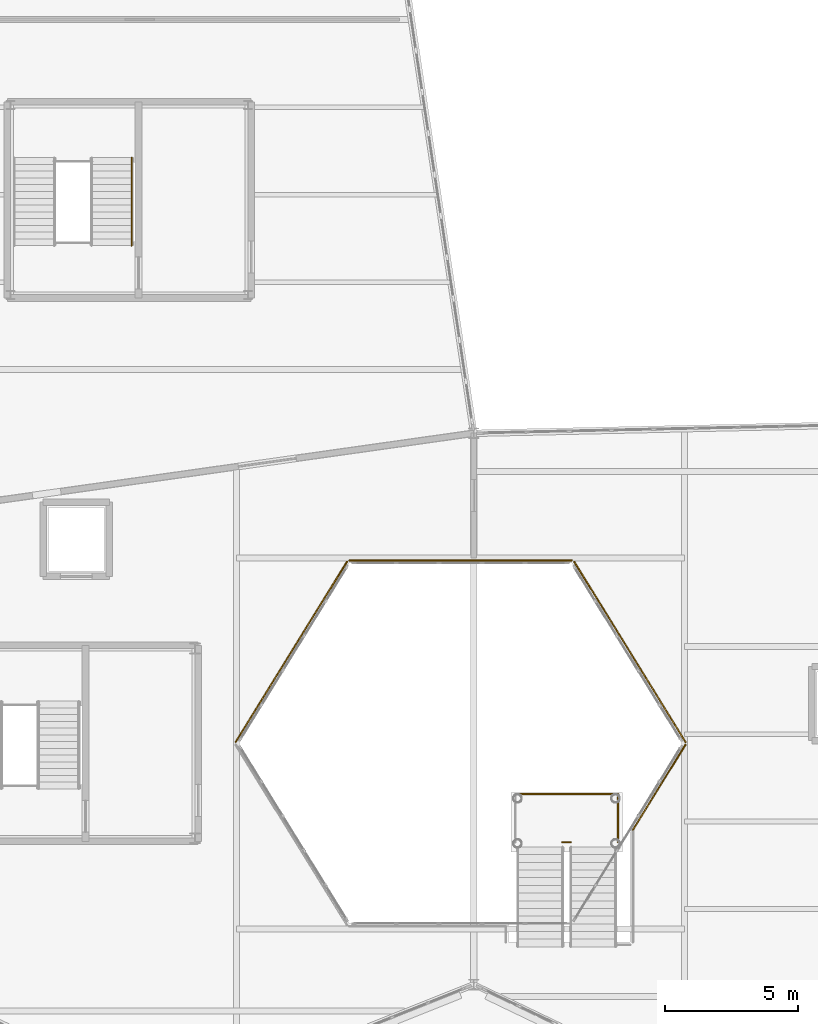
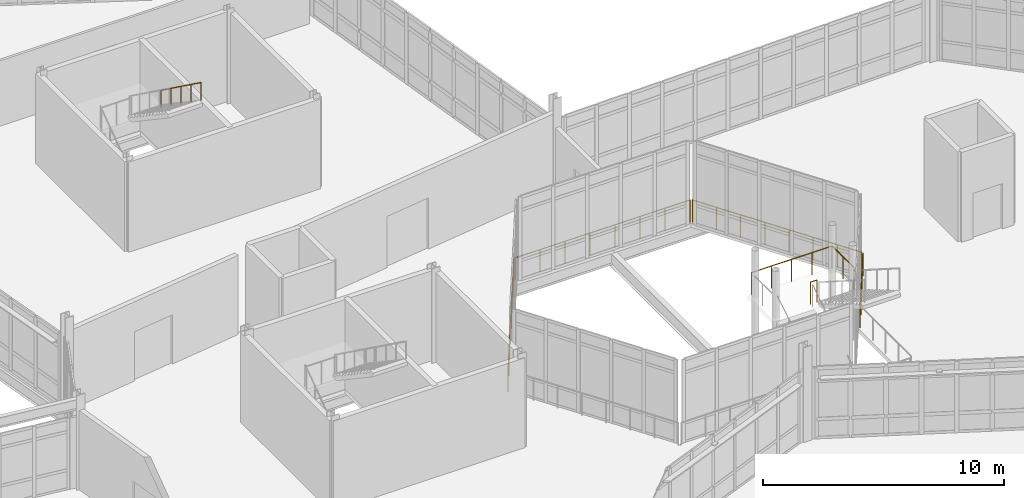
# One storey, part 130 of 134: 8 railings.
"""IFC4 building model written with IfcOpenShell, lengths in metres."""

from ifc_helpers import new_model, si_unit, direction, frame, origin, origin_2d, place, context, subcontext, project, spatial, circle, extrude, material, layer, layer_set, type_object, element, save


model = new_model("IFC4")

# Units and contexts
model_context = context("Model", 3, precision=1e-05, world=origin(), true_north=direction((0.0, 1.0)))
body_context = subcontext(model_context, "Body", "Model", "MODEL_VIEW")
ifc_project = project(units=[si_unit("LENGTHUNIT", "METRE"), si_unit("AREAUNIT", "SQUARE_METRE"), si_unit("VOLUMEUNIT", "CUBIC_METRE"), si_unit("PLANEANGLEUNIT", "RADIAN"), si_unit("MASSUNIT", "GRAM", prefix="KILO")], contexts=[model_context])

# Site, building, storey
site_placement = place(None, origin())
site = spatial("IfcSite", under=ifc_project, at=site_placement, CompositionType="ELEMENT")
building_placement = place(site_placement, origin())
building = spatial("IfcBuilding", under=site, at=building_placement, Name="Tameran Prism Museum", CompositionType="ELEMENT")
storey_placement = place(building_placement, frame((0.0, 0.0, 5.39990234375)))
storey = spatial("IfcBuildingStorey", under=building, at=storey_placement, Name="L01", CompositionType="ELEMENT", Elevation=5.39990234375)

# Railings
ifc_material_1 = material(Name="Laminated Glass and Stainless Steel 316", Category="steel")
ifc_layer_1 = layer(ifc_material_1, 0.06494140625)
ifc_layer_set_1 = layer_set([ifc_layer_1])
railing_type_1 = type_object("IfcRailingType", Name="RL-BAL-1150", PredefinedType="BALUSTRADE", material=ifc_layer_set_1)
railing_1_placement = place(storey_placement, frame((80.840087890625, 32.77001953125, 2.400146484375)))
element("IfcRailing", 1, at=railing_1_placement, inside=storey, type_object=railing_type_1, Name="Atrium Landing Slot Guard BL-119", PredefinedType="BALUSTRADE", context=body_context, shape_type="SweptSolid", body=[
    extrude(circle(Radius=0.02392578125, at=origin_2d()), frame((0.0, 0.0, 1.1259765625), z_axis=(1.0, 0.0, 0.0), x_axis=(0.0, 1.0, 0.0)), (0.0, 0.0, 1.0), 0.31982421875),
    extrude(circle(Radius=0.02099609375, at=origin_2d()), origin(), (0.0, 0.0, 1.0), 1.101806640625),
    extrude(circle(Radius=0.02099609375, at=origin_2d()), frame((0.31982421875, 0.0, 0.0)), (0.0, 0.0, 1.0), 1.101806640625),
])
railing_2_placement = place(storey_placement, frame((79.06005859375, 34.590087890625, 2.400146484375)))
element("IfcRailing", 2, at=railing_2_placement, inside=storey, type_object=railing_type_1, Name="Atrium Landing Perimeter Guard BL-121", PredefinedType="BALUSTRADE", context=body_context, shape_type="SweptSolid", body=[
    extrude(circle(Radius=0.02392578125, at=origin_2d()), frame((0.0, 0.0, 1.1259765625), z_axis=(1.0, 0.0, 0.0), x_axis=(0.0, 1.0, 0.0)), (0.0, 0.0, 1.0), 3.8798828125),
    extrude(circle(Radius=0.02099609375, at=origin_2d()), origin(), (0.0, 0.0, 1.0), 1.101806640625),
    extrude(circle(Radius=0.02099609375, at=origin_2d()), frame((0.969970703125, 0.0, 0.0)), (0.0, 0.0, 1.0), 1.101806640625),
    extrude(circle(Radius=0.02099609375, at=origin_2d()), frame((1.93994140625, 0.0, 0.0)), (0.0, 0.0, 1.0), 1.101806640625),
    extrude(circle(Radius=0.02099609375, at=origin_2d()), frame((2.909912109375, 0.0, 0.0)), (0.0, 0.0, 1.0), 1.101806640625),
    extrude(circle(Radius=0.02099609375, at=origin_2d()), frame((3.8798828125, 0.0, 0.0)), (0.0, 0.0, 1.0), 1.101806640625),
])
railing_3_placement = place(storey_placement, frame((82.93994140625, 34.590087890625, 2.400146484375)))
element("IfcRailing", 3, at=railing_3_placement, inside=storey, type_object=railing_type_1, Name="Atrium Landing Perimeter Guard BL-122", PredefinedType="BALUSTRADE", context=body_context, shape_type="SweptSolid", body=[
    extrude(circle(Radius=0.02392578125, at=origin_2d()), frame((0.0, 0.0, 1.1259765625), z_axis=(0.0, -1.0, 0.0), x_axis=(1.0, 0.0, 0.0)), (0.0, 0.0, 1.0), 1.820068359375),
    extrude(circle(Radius=0.02099609375, at=origin_2d()), origin(), (0.0, 0.0, 1.0), 1.101806640625),
    extrude(circle(Radius=0.02099609375, at=origin_2d()), frame((0.0, -0.91015625, 0.0)), (0.0, 0.0, 1.0), 1.101806640625),
    extrude(circle(Radius=0.02099609375, at=origin_2d()), frame((0.0, -1.820068359375, 0.0)), (0.0, 0.0, 1.0), 1.101806640625),
])
railing_4_placement = place(storey_placement, frame((68.514892578125, 36.552978515625, 0.0)))
element("IfcRailing", 4, at=railing_4_placement, inside=storey, type_object=railing_type_1, Name="Atrium Void Balustrade BL-A002", PredefinedType="BALUSTRADE", context=body_context, shape_type="SweptSolid", body=[
    extrude(circle(Radius=0.02392578125, at=origin_2d()), frame((0.0, 0.0, 1.1259765625), z_axis=(0.525507837885, 0.85078875893, 0.0), x_axis=(-0.85078875893, 0.525507837885, 0.0)), (0.0, 0.0, 1.0), 7.99267578125),
    extrude(circle(Radius=0.02099609375, at=origin_2d()), origin(), (0.0, 0.0, 1.0), 1.101806640625),
    extrude(circle(Radius=0.02099609375, at=origin_2d()), frame((0.60009765625, 0.971435546875, 0.0)), (0.0, 0.0, 1.0), 1.101806640625),
    extrude(circle(Radius=0.02099609375, at=origin_2d()), frame((1.199951171875, 1.94287109375, 0.0)), (0.0, 0.0, 1.0), 1.101806640625),
    extrude(circle(Radius=0.02099609375, at=origin_2d()), frame((1.800048828125, 2.914306640625, 0.0)), (0.0, 0.0, 1.0), 1.101806640625),
    extrude(circle(Radius=0.02099609375, at=origin_2d()), frame((2.400146484375, 3.8857421875, 0.0)), (0.0, 0.0, 1.0), 1.101806640625),
    extrude(circle(Radius=0.02099609375, at=origin_2d()), frame((3.000244140625, 4.857177734375, 0.0)), (0.0, 0.0, 1.0), 1.101806640625),
    extrude(circle(Radius=0.02099609375, at=origin_2d()), frame((3.60009765625, 5.82861328125, 0.0)), (0.0, 0.0, 1.0), 1.101806640625),
    extrude(circle(Radius=0.02099609375, at=origin_2d()), frame((4.2001953125, 6.800048828125, 0.0)), (0.0, 0.0, 1.0), 1.101806640625),
])
railing_5_placement = place(storey_placement, frame((72.800048828125, 43.39990234375, 0.0)))
element("IfcRailing", 5, at=railing_5_placement, inside=storey, type_object=railing_type_1, Name="Atrium Void Balustrade BL-A003", PredefinedType="BALUSTRADE", context=body_context, shape_type="SweptSolid", body=[
    extrude(circle(Radius=0.02392578125, at=origin_2d()), frame((0.0, 0.0, 1.1259765625), z_axis=(1.0, 0.0, 0.0), x_axis=(0.0, 1.0, 0.0)), (0.0, 0.0, 1.0), 8.39990234375),
    extrude(circle(Radius=0.02099609375, at=origin_2d()), origin(), (0.0, 0.0, 1.0), 1.101806640625),
    extrude(circle(Radius=0.02099609375, at=origin_2d()), frame((1.199951171875, 0.0, 0.0)), (0.0, 0.0, 1.0), 1.101806640625),
    extrude(circle(Radius=0.02099609375, at=origin_2d()), frame((2.39990234375, 0.0, 0.0)), (0.0, 0.0, 1.0), 1.101806640625),
    extrude(circle(Radius=0.02099609375, at=origin_2d()), frame((3.599853515625, 0.0, 0.0)), (0.0, 0.0, 1.0), 1.101806640625),
    extrude(circle(Radius=0.02099609375, at=origin_2d()), frame((4.800048828125, 0.0, 0.0)), (0.0, 0.0, 1.0), 1.101806640625),
    extrude(circle(Radius=0.02099609375, at=origin_2d()), frame((6.0, 0.0, 0.0)), (0.0, 0.0, 1.0), 1.101806640625),
    extrude(circle(Radius=0.02099609375, at=origin_2d()), frame((7.199951171875, 0.0, 0.0)), (0.0, 0.0, 1.0), 1.101806640625),
    extrude(circle(Radius=0.02099609375, at=origin_2d()), frame((8.39990234375, 0.0, 0.0)), (0.0, 0.0, 1.0), 1.101806640625),
])
railing_6_placement = place(storey_placement, frame((81.284912109375, 43.35302734375, 0.0)))
element("IfcRailing", 6, at=railing_6_placement, inside=storey, type_object=railing_type_1, Name="Atrium Void Balustrade BL-A004", PredefinedType="BALUSTRADE", context=body_context, shape_type="SweptSolid", body=[
    extrude(circle(Radius=0.02392578125, at=origin_2d()), frame((0.0, 0.0, 1.1259765625), z_axis=(0.525507837885, -0.85078875893, 0.0), x_axis=(0.85078875893, 0.525507837885, 0.0)), (0.0, 0.0, 1.0), 7.99267578125),
    extrude(circle(Radius=0.02099609375, at=origin_2d()), origin(), (0.0, 0.0, 1.0), 1.101806640625),
    extrude(circle(Radius=0.02099609375, at=origin_2d()), frame((0.60009765625, -0.971435546875, 0.0)), (0.0, 0.0, 1.0), 1.101806640625),
    extrude(circle(Radius=0.02099609375, at=origin_2d()), frame((1.199951171875, -1.94287109375, 0.0)), (0.0, 0.0, 1.0), 1.101806640625),
    extrude(circle(Radius=0.02099609375, at=origin_2d()), frame((1.800048828125, -2.914306640625, 0.0)), (0.0, 0.0, 1.0), 1.101806640625),
    extrude(circle(Radius=0.02099609375, at=origin_2d()), frame((2.400146484375, -3.8857421875, 0.0)), (0.0, 0.0, 1.0), 1.101806640625),
    extrude(circle(Radius=0.02099609375, at=origin_2d()), frame((3.000244140625, -4.857177734375, 0.0)), (0.0, 0.0, 1.0), 1.101806640625),
    extrude(circle(Radius=0.02099609375, at=origin_2d()), frame((3.60009765625, -5.82861328125, 0.0)), (0.0, 0.0, 1.0), 1.101806640625),
    extrude(circle(Radius=0.02099609375, at=origin_2d()), frame((4.2001953125, -6.800048828125, 0.0)), (0.0, 0.0, 1.0), 1.101806640625),
])
railing_7_placement = place(storey_placement, frame((85.485107421875, 36.447021484375, 0.0)))
element("IfcRailing", 7, at=railing_7_placement, inside=storey, type_object=railing_type_1, Name="Atrium Void Balustrade BL-A005", PredefinedType="BALUSTRADE", context=body_context, shape_type="SweptSolid", body=[
    extrude(circle(Radius=0.02392578125, at=origin_2d()), frame((0.0, 0.0, 1.1259765625), z_axis=(-0.525593339274, -0.850735941236, 0.0), x_axis=(0.850735941236, -0.525593339274, 0.0)), (0.0, 0.0, 1.0), 3.77685546875),
    extrude(circle(Radius=0.02099609375, at=origin_2d()), origin(), (0.0, 0.0, 1.0), 1.101806640625),
    extrude(circle(Radius=0.02099609375, at=origin_2d()), frame((-0.496337890625, -0.80322265625, 0.0)), (0.0, 0.0, 1.0), 1.101806640625),
    extrude(circle(Radius=0.02099609375, at=origin_2d()), frame((-0.99267578125, -1.6064453125, 0.0)), (0.0, 0.0, 1.0), 1.101806640625),
    extrude(circle(Radius=0.02099609375, at=origin_2d()), frame((-1.48876953125, -2.409912109375, 0.0)), (0.0, 0.0, 1.0), 1.101806640625),
    extrude(circle(Radius=0.02099609375, at=origin_2d()), frame((-1.985107421875, -3.213134765625, 0.0)), (0.0, 0.0, 1.0), 1.101806640625),
])
ifc_material_2 = material(Name="Brushed Stainless Steel 316", Category="steel")
ifc_layer_2 = layer(ifc_material_2, 0.048095703125)
ifc_layer_set_2 = layer_set([ifc_layer_2])
railing_type_2 = type_object("IfcRailingType", Name="RL-HR-920", PredefinedType="HANDRAIL", material=ifc_layer_set_2)
railing_8_placement = place(storey_placement, frame((64.590087890625, 58.594970703125, 2.400146484375)))
element("IfcRailing", 8, at=railing_8_placement, inside=storey, type_object=railing_type_2, Name="Stair Flight Handrail HR-058", PredefinedType="HANDRAIL", context=body_context, shape_type="SweptSolid", body=[
    extrude(circle(Radius=0.02392578125, at=origin_2d()), frame((0.0, 0.0, 0.89599609375), z_axis=(0.0, -0.810008566192, 0.586418044312), x_axis=(1.0, 0.0, 0.0)), (0.0, 0.0, 1.0), 4.092529296875),
    extrude(circle(Radius=0.02099609375, at=origin_2d()), origin(), (0.0, 0.0, 1.0), 0.871826171875),
    extrude(circle(Radius=0.02099609375, at=origin_2d()), frame((0.0, -0.82861328125, 0.60009765625)), (0.0, 0.0, 1.0), 0.871826171875),
    extrude(circle(Radius=0.02099609375, at=origin_2d()), frame((0.0, -1.657470703125, 1.199951171875)), (0.0, 0.0, 1.0), 0.871826171875),
    extrude(circle(Radius=0.02099609375, at=origin_2d()), frame((0.0, -2.486328125, 1.7998046875)), (0.0, 0.0, 1.0), 0.871826171875),
    extrude(circle(Radius=0.02099609375, at=origin_2d()), frame((0.0, -3.31494140625, 2.39990234375)), (0.0, 0.0, 1.0), 0.871826171875),
])

save(model, "model.ifc")
